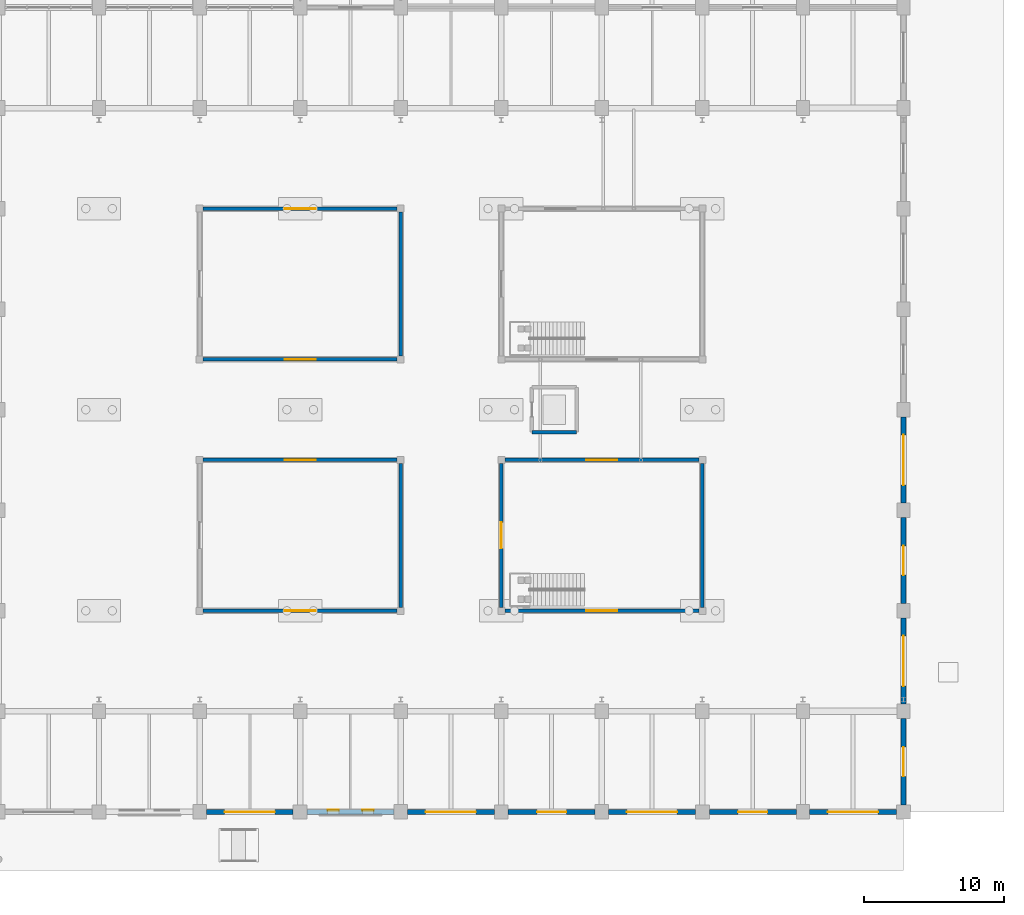
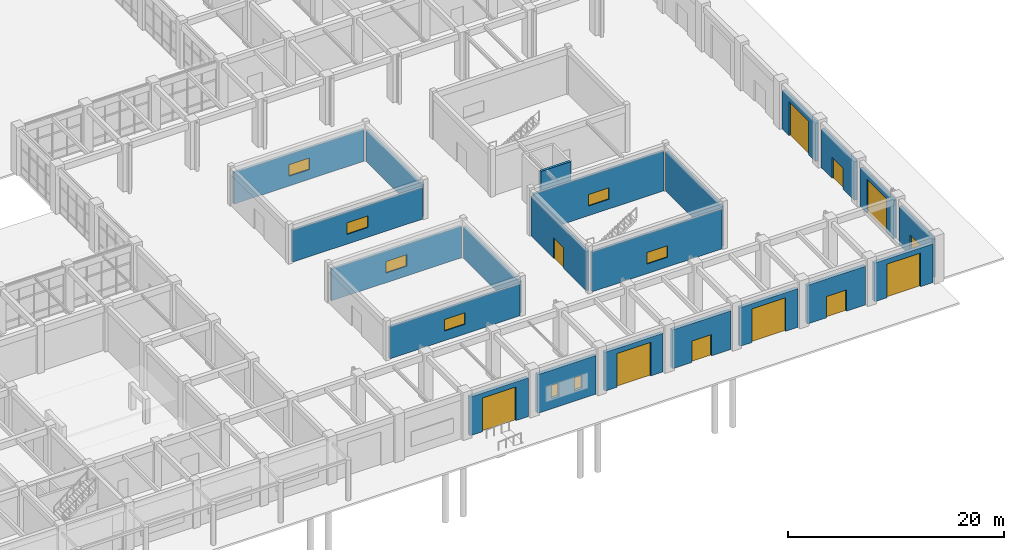
# One storey, part 145 of 160: 22 walls, 11 doors, 8 windows, 19 openings.
"""IFC4 building model written with IfcOpenShell, lengths in metres."""

from ifc_helpers import new_model, si_unit, direction, frame, frame_2d, origin, place, context, subcontext, project, spatial, rectangle, extrude, material, layer, layer_set, type_object, element, fill, save


model = new_model("IFC4")

# Units and contexts
model_context = context("Model", 3, precision=1e-05, world=origin(), true_north=direction((0.0, 1.0)))
body_context = subcontext(model_context, "Body", "Model", "MODEL_VIEW")
ifc_project = project(units=[si_unit("LENGTHUNIT", "METRE"), si_unit("AREAUNIT", "SQUARE_METRE"), si_unit("VOLUMEUNIT", "CUBIC_METRE"), si_unit("PLANEANGLEUNIT", "RADIAN"), si_unit("MASSUNIT", "GRAM", prefix="KILO")], contexts=[model_context])

# Site, building, storey
site_placement = place(None, origin())
site = spatial("IfcSite", under=ifc_project, at=site_placement, CompositionType="ELEMENT")
building_placement = place(site_placement, origin())
building = spatial("IfcBuilding", under=site, at=building_placement, Name="Thalmaran Polytechnic", CompositionType="ELEMENT")
storey_placement = place(building_placement, origin())
storey = spatial("IfcBuildingStorey", under=building, at=storey_placement, Name="L00", CompositionType="ELEMENT", Elevation=0.0)

# Wall, opening, door
ifc_material_1 = material(Name="Precast concrete C40/50", Category="concrete")
ifc_layer_1 = layer(ifc_material_1, 0.360107421875, Name="Precast concrete C40/50")
ifc_layer_set_1 = layer_set([ifc_layer_1], Name="Precast concrete C40/50")
wall_type_1 = type_object("IfcWallType", Name="WL-EW01", PredefinedType="STANDARD", material=ifc_layer_set_1)
wall_1_placement = place(storey_placement, frame((172.800048828125, 21.074951171875, 0.0), z_axis=(0.0, 0.0, 1.0), x_axis=(0.0, -1.0, 0.0)))
wall_1 = element("IfcWall", 1, at=wall_1_placement, inside=storey, type_object=wall_type_1, Name="Ground Entrance Portal Wall L00-066", PredefinedType="STANDARD", context=body_context, shape_type="SweptSolid", body=[
    extrude(rectangle(XDim=6.14990234375, YDim=0.360107421875, at=frame_2d((3.074951171875, 0.0))), origin(), (0.0, 0.0, 1.0), 4.3349609375),
])
opening_1_placement = place(wall_1_placement, frame((2.02490234375, 0.0, 0.0)))
opening_1 = element("IfcOpeningElement", 2, at=opening_1_placement, cuts=wall_1, Name="Opening ED-22", PredefinedType="OPENING", context=body_context, shape_type="SweptSolid", body=[
    extrude(rectangle(XDim=2.10009765625, YDim=2.39990234375, at=frame_2d((1.050048828125, 1.199951171875))), frame((0.0, 0.18994140625, 0.0), z_axis=(0.0, -1.0, 0.0), x_axis=(1.0, 0.0, 0.0)), (0.0, 0.0, 1.0), 0.380126953125),
])
ifc_material_2 = material(Name="Anodised aluminium and safety glass", Category="aluminium")
door_type_1 = type_object("IfcDoorType", Name="DR-ED01", OperationType="NOTDEFINED", PredefinedType="DOOR", material=ifc_material_2)
door_1_placement = place(opening_1_placement, origin())
door_1 = element("IfcDoor", 3, at=door_1_placement, inside=storey, type_object=door_type_1, Name="Pedestrian Final Exit Door ED-22", OperationType="DOUBLE_DOOR_SINGLE_SWING", OverallHeight=2.39990234375, OverallWidth=2.10009765625, PredefinedType="DOOR", context=body_context, shape_type="SweptSolid", body=[
    extrude(rectangle(XDim=2.10009765625, YDim=2.39990234375, at=frame_2d((1.050048828125, 1.199951171875))), frame((0.0, 0.02490234375, 0.0), z_axis=(0.0, -1.0, 0.0), x_axis=(1.0, 0.0, 0.0)), (0.0, 0.0, 1.0), 0.050048828125),
])
fill(opening_1, door_1)

wall_2_placement = place(storey_placement, frame((172.800048828125, 6.675048828125, 0.0), z_axis=(0.0, 0.0, 1.0), x_axis=(0.0, -1.0, 0.0)))
wall_2 = element("IfcWall", 4, at=wall_2_placement, inside=storey, type_object=wall_type_1, Name="Ground Entrance Portal Wall L00-068", PredefinedType="STANDARD", context=body_context, shape_type="SweptSolid", body=[
    extrude(rectangle(XDim=6.175048828125, YDim=0.360107421875, at=frame_2d((3.08740234375, 0.0))), origin(), (0.0, 0.0, 1.0), 4.3349609375),
])
opening_2_placement = place(wall_2_placement, frame((2.03759765625, 0.0, 0.0)))
opening_2 = element("IfcOpeningElement", 5, at=opening_2_placement, cuts=wall_2, Name="Opening ED-23", PredefinedType="OPENING", context=body_context, shape_type="SweptSolid", body=[
    extrude(rectangle(XDim=2.10009765625, YDim=2.39990234375, at=frame_2d((1.050048828125, 1.199951171875))), frame((0.0, 0.18994140625, 0.0), z_axis=(0.0, -1.0, 0.0), x_axis=(1.0, 0.0, 0.0)), (0.0, 0.0, 1.0), 0.380126953125),
])
door_2_placement = place(opening_2_placement, origin())
door_2 = element("IfcDoor", 6, at=door_2_placement, inside=storey, type_object=door_type_1, Name="Pedestrian Final Exit Door ED-23", OperationType="DOUBLE_DOOR_SINGLE_SWING", OverallHeight=2.39990234375, OverallWidth=2.10009765625, PredefinedType="DOOR", context=body_context, shape_type="SweptSolid", body=[
    extrude(rectangle(XDim=2.10009765625, YDim=2.39990234375, at=frame_2d((1.050048828125, 1.199951171875))), frame((0.0, 0.02490234375, 0.0), z_axis=(0.0, -1.0, 0.0), x_axis=(1.0, 0.0, 0.0)), (0.0, 0.0, 1.0), 0.050048828125),
])
fill(opening_2, door_2)

wall_3_placement = place(storey_placement, frame((172.300048828125, 0.0, 0.0), z_axis=(0.0, 0.0, 1.0), x_axis=(-1.0, 0.0, 0.0)))
wall_3 = element("IfcWall", 7, at=wall_3_placement, inside=storey, type_object=wall_type_1, Name="Exterior Precast Facade Wall L00-069", PredefinedType="STANDARD", context=body_context, shape_type="SweptSolid", body=[
    extrude(rectangle(XDim=6.22509765625, YDim=0.360107421875, at=frame_2d((3.112548828125, 0.0))), origin(), (0.0, 0.0, 1.0), 4.3701171875),
])
opening_3_placement = place(wall_3_placement, frame((1.3125, 0.0, 0.0)))
opening_3 = element("IfcOpeningElement", 8, at=opening_3_placement, cuts=wall_3, Name="Opening WB-069", PredefinedType="OPENING", context=body_context, shape_type="SweptSolid", body=[
    extrude(rectangle(XDim=3.60009765625, YDim=3.800048828125, at=frame_2d((1.800048828125, 1.89990234375))), frame((0.0, 0.18994140625, 0.0), z_axis=(0.0, -1.0, 0.0), x_axis=(1.0, 0.0, 0.0)), (0.0, 0.0, 1.0), 0.380126953125),
])
ifc_material_3 = material(Name="Galvanised insulated steel roller shutter", Category="steel")
door_type_2 = type_object("IfcDoorType", Name="DR-VG03", OperationType="NOTDEFINED", PredefinedType="GATE", material=ifc_material_3)
door_3_placement = place(opening_3_placement, origin())
door_3 = element("IfcDoor", 9, at=door_3_placement, inside=storey, type_object=door_type_2, Name="Engineering Workshop Crane Bay Door WB-069", OperationType="ROLLINGUP", OverallHeight=3.800048828125, OverallWidth=3.60009765625, PredefinedType="GATE", context=body_context, shape_type="SweptSolid", body=[
    extrude(rectangle(XDim=3.60009765625, YDim=3.800048828125, at=frame_2d((1.800048828125, 1.89990234375))), frame((0.0, 0.02490234375, 0.0), z_axis=(0.0, -1.0, 0.0), x_axis=(1.0, 0.0, 0.0)), (0.0, 0.0, 1.0), 0.050048828125),
])
fill(opening_3, door_3)

wall_4_placement = place(storey_placement, frame((165.125, 0.0, 0.0), z_axis=(0.0, 0.0, 1.0), x_axis=(-1.0, 0.0, 0.0)))
wall_4 = element("IfcWall", 10, at=wall_4_placement, inside=storey, type_object=wall_type_1, Name="Ground Entrance Portal Wall L00-070", PredefinedType="STANDARD", context=body_context, shape_type="SweptSolid", body=[
    extrude(rectangle(XDim=6.22509765625, YDim=0.360107421875, at=frame_2d((3.112548828125, 0.0))), origin(), (0.0, 0.0, 1.0), 4.3701171875),
])
opening_4_placement = place(wall_4_placement, frame((2.0625, 0.0, 0.0)))
opening_4 = element("IfcOpeningElement", 11, at=opening_4_placement, cuts=wall_4, Name="Opening ED-24", PredefinedType="OPENING", context=body_context, shape_type="SweptSolid", body=[
    extrude(rectangle(XDim=2.10009765625, YDim=2.39990234375, at=frame_2d((1.050048828125, 1.199951171875))), frame((0.0, 0.18994140625, 0.0), z_axis=(0.0, -1.0, 0.0), x_axis=(1.0, 0.0, 0.0)), (0.0, 0.0, 1.0), 0.380126953125),
])
door_4_placement = place(opening_4_placement, origin())
door_4 = element("IfcDoor", 12, at=door_4_placement, inside=storey, type_object=door_type_1, Name="Pedestrian Final Exit Door ED-24", OperationType="DOUBLE_DOOR_SINGLE_SWING", OverallHeight=2.39990234375, OverallWidth=2.10009765625, PredefinedType="DOOR", context=body_context, shape_type="SweptSolid", body=[
    extrude(rectangle(XDim=2.10009765625, YDim=2.39990234375, at=frame_2d((1.050048828125, 1.199951171875))), frame((0.0, 0.02490234375, 0.0), z_axis=(0.0, -1.0, 0.0), x_axis=(1.0, 0.0, 0.0)), (0.0, 0.0, 1.0), 0.050048828125),
])
fill(opening_4, door_4)

wall_5_placement = place(storey_placement, frame((157.89990234375, 0.0, 0.0), z_axis=(0.0, 0.0, 1.0), x_axis=(-1.0, 0.0, 0.0)))
wall_5 = element("IfcWall", 13, at=wall_5_placement, inside=storey, type_object=wall_type_1, Name="Exterior Precast Facade Wall L00-071", PredefinedType="STANDARD", context=body_context, shape_type="SweptSolid", body=[
    extrude(rectangle(XDim=6.224853515625, YDim=0.360107421875, at=frame_2d((3.1123046875, 0.0))), origin(), (0.0, 0.0, 1.0), 4.3701171875),
])
opening_5_placement = place(wall_5_placement, frame((1.3125, 0.0, 0.0)))
opening_5 = element("IfcOpeningElement", 14, at=opening_5_placement, cuts=wall_5, Name="Opening WB-071", PredefinedType="OPENING", context=body_context, shape_type="SweptSolid", body=[
    extrude(rectangle(XDim=3.60009765625, YDim=3.800048828125, at=frame_2d((1.800048828125, 1.89990234375))), frame((0.0, 0.18994140625, 0.0), z_axis=(0.0, -1.0, 0.0), x_axis=(1.0, 0.0, 0.0)), (0.0, 0.0, 1.0), 0.380126953125),
])
door_5_placement = place(opening_5_placement, origin())
door_5 = element("IfcDoor", 15, at=door_5_placement, inside=storey, type_object=door_type_2, Name="Engineering Workshop Crane Bay Door WB-071", OperationType="ROLLINGUP", OverallHeight=3.800048828125, OverallWidth=3.60009765625, PredefinedType="GATE", context=body_context, shape_type="SweptSolid", body=[
    extrude(rectangle(XDim=3.60009765625, YDim=3.800048828125, at=frame_2d((1.800048828125, 1.89990234375))), frame((0.0, 0.02490234375, 0.0), z_axis=(0.0, -1.0, 0.0), x_axis=(1.0, 0.0, 0.0)), (0.0, 0.0, 1.0), 0.050048828125),
])
fill(opening_5, door_5)

wall_6_placement = place(storey_placement, frame((150.72509765625, 0.0, 0.0), z_axis=(0.0, 0.0, 1.0), x_axis=(-1.0, 0.0, 0.0)))
wall_6 = element("IfcWall", 16, at=wall_6_placement, inside=storey, type_object=wall_type_1, Name="Ground Entrance Portal Wall L00-072", PredefinedType="STANDARD", context=body_context, shape_type="SweptSolid", body=[
    extrude(rectangle(XDim=6.22509765625, YDim=0.360107421875, at=frame_2d((3.112548828125, 0.0))), origin(), (0.0, 0.0, 1.0), 4.3701171875),
])
opening_6_placement = place(wall_6_placement, frame((2.0625, 0.0, 0.0)))
opening_6 = element("IfcOpeningElement", 17, at=opening_6_placement, cuts=wall_6, Name="Opening ED-25", PredefinedType="OPENING", context=body_context, shape_type="SweptSolid", body=[
    extrude(rectangle(XDim=2.10009765625, YDim=2.39990234375, at=frame_2d((1.050048828125, 1.199951171875))), frame((0.0, 0.18994140625, 0.0), z_axis=(0.0, -1.0, 0.0), x_axis=(1.0, 0.0, 0.0)), (0.0, 0.0, 1.0), 0.380126953125),
])
door_6_placement = place(opening_6_placement, origin())
door_6 = element("IfcDoor", 18, at=door_6_placement, inside=storey, type_object=door_type_1, Name="Pedestrian Final Exit Door ED-25", OperationType="DOUBLE_DOOR_SINGLE_SWING", OverallHeight=2.39990234375, OverallWidth=2.10009765625, PredefinedType="DOOR", context=body_context, shape_type="SweptSolid", body=[
    extrude(rectangle(XDim=2.10009765625, YDim=2.39990234375, at=frame_2d((1.050048828125, 1.199951171875))), frame((0.0, 0.02490234375, 0.0), z_axis=(0.0, -1.0, 0.0), x_axis=(1.0, 0.0, 0.0)), (0.0, 0.0, 1.0), 0.050048828125),
])
fill(opening_6, door_6)

wall_7_placement = place(storey_placement, frame((143.5, 0.0, 0.0), z_axis=(0.0, 0.0, 1.0), x_axis=(-1.0, 0.0, 0.0)))
wall_7 = element("IfcWall", 19, at=wall_7_placement, inside=storey, type_object=wall_type_1, Name="Exterior Precast Facade Wall L00-073", PredefinedType="STANDARD", context=body_context, shape_type="SweptSolid", body=[
    extrude(rectangle(XDim=6.22509765625, YDim=0.360107421875, at=frame_2d((3.112548828125, 0.0))), origin(), (0.0, 0.0, 1.0), 4.3701171875),
])
opening_7_placement = place(wall_7_placement, frame((1.3125, 0.0, 0.0)))
opening_7 = element("IfcOpeningElement", 20, at=opening_7_placement, cuts=wall_7, Name="Opening WB-073", PredefinedType="OPENING", context=body_context, shape_type="SweptSolid", body=[
    extrude(rectangle(XDim=3.60009765625, YDim=3.800048828125, at=frame_2d((1.800048828125, 1.89990234375))), frame((0.0, 0.18994140625, 0.0), z_axis=(0.0, -1.0, 0.0), x_axis=(1.0, 0.0, 0.0)), (0.0, 0.0, 1.0), 0.380126953125),
])
door_7_placement = place(opening_7_placement, origin())
door_7 = element("IfcDoor", 21, at=door_7_placement, inside=storey, type_object=door_type_2, Name="Engineering Workshop Crane Bay Door WB-073", OperationType="ROLLINGUP", OverallHeight=3.800048828125, OverallWidth=3.60009765625, PredefinedType="GATE", context=body_context, shape_type="SweptSolid", body=[
    extrude(rectangle(XDim=3.60009765625, YDim=3.800048828125, at=frame_2d((1.800048828125, 1.89990234375))), frame((0.0, 0.02490234375, 0.0), z_axis=(0.0, -1.0, 0.0), x_axis=(1.0, 0.0, 0.0)), (0.0, 0.0, 1.0), 0.050048828125),
])
fill(opening_7, door_7)

# Wall, openings, windows
wall_8_placement = place(storey_placement, frame((136.324951171875, 0.0, 0.0), z_axis=(0.0, 0.0, 1.0), x_axis=(-1.0, 0.0, 0.0)))
wall_8 = element("IfcWall", 22, at=wall_8_placement, inside=storey, type_object=wall_type_1, Name="Exterior Precast Facade Wall L00-074", PredefinedType="STANDARD", context=body_context, shape_type="SweptSolid", body=[
    extrude(rectangle(XDim=6.224853515625, YDim=0.360107421875, at=frame_2d((3.1123046875, 0.0))), origin(), (0.0, 0.0, 1.0), 4.3701171875),
])
opening_8_placement = place(wall_8_placement, frame((1.467529296875, 0.0, 1.14990234375)))
opening_8 = element("IfcOpeningElement", 23, at=opening_8_placement, cuts=wall_8, Name="Opening PW16", PredefinedType="OPENING", context=body_context, shape_type="SweptSolid", body=[
    extrude(rectangle(XDim=0.800048828125, YDim=1.5, at=frame_2d((0.39990234375, 0.75))), frame((0.0, 0.18994140625, 0.0), z_axis=(0.0, -1.0, 0.0), x_axis=(1.0, 0.0, 0.0)), (0.0, 0.0, 1.0), 0.380126953125),
])
opening_9_placement = place(wall_8_placement, frame((3.95751953125, 0.0, 1.14990234375)))
opening_9 = element("IfcOpeningElement", 24, at=opening_9_placement, cuts=wall_8, Name="Opening PW16", PredefinedType="OPENING", context=body_context, shape_type="SweptSolid", body=[
    extrude(rectangle(XDim=0.800048828125, YDim=1.5, at=frame_2d((0.39990234375, 0.75))), frame((0.0, 0.18994140625, 0.0), z_axis=(0.0, -1.0, 0.0), x_axis=(1.0, 0.0, 0.0)), (0.0, 0.0, 1.0), 0.380126953125),
])
ifc_material_4 = material(Name="Thermally broken aluminium and double low-E glass", Category="aluminium")
window_type_1 = type_object("IfcWindowType", Name="WN-PW06", PartitioningType="SINGLE_PANEL", PredefinedType="WINDOW", material=ifc_material_4)
window_1_placement = place(opening_8_placement, origin())
window_1 = element("IfcWindow", 25, at=window_1_placement, inside=storey, type_object=window_type_1, Name="Deep-Set Solar-Screened Window W-0032", OverallHeight=1.5, OverallWidth=0.800048828125, PartitioningType="SINGLE_PANEL", PredefinedType="WINDOW", context=body_context, shape_type="SweptSolid", body=[
    extrude(rectangle(XDim=0.800048828125, YDim=1.5, at=frame_2d((0.39990234375, 0.75))), frame((0.0, -0.080078125, 0.0), z_axis=(0.0, -1.0, 0.0), x_axis=(1.0, 0.0, 0.0)), (0.0, 0.0, 1.0), 0.06005859375),
])
fill(opening_8, window_1)
window_2_placement = place(opening_9_placement, origin())
window_2 = element("IfcWindow", 26, at=window_2_placement, inside=storey, type_object=window_type_1, Name="Deep-Set Solar-Screened Window W-0033", OverallHeight=1.5, OverallWidth=0.800048828125, PartitioningType="SINGLE_PANEL", PredefinedType="WINDOW", context=body_context, shape_type="SweptSolid", body=[
    extrude(rectangle(XDim=0.800048828125, YDim=1.5, at=frame_2d((0.39990234375, 0.75))), frame((0.0, -0.080078125, 0.0), z_axis=(0.0, -1.0, 0.0), x_axis=(1.0, 0.0, 0.0)), (0.0, 0.0, 1.0), 0.06005859375),
])
fill(opening_9, window_2)

# Wall, opening, door
wall_9_placement = place(storey_placement, frame((129.10009765625, 0.0, 0.0), z_axis=(0.0, 0.0, 1.0), x_axis=(-1.0, 0.0, 0.0)))
wall_9 = element("IfcWall", 27, at=wall_9_placement, inside=storey, type_object=wall_type_1, Name="Exterior Precast Facade Wall L00-075", PredefinedType="STANDARD", context=body_context, shape_type="SweptSolid", body=[
    extrude(rectangle(XDim=6.22509765625, YDim=0.360107421875, at=frame_2d((3.112548828125, 0.0))), origin(), (0.0, 0.0, 1.0), 4.3701171875),
])
opening_10_placement = place(wall_9_placement, frame((1.3125, 0.0, 0.0)))
opening_10 = element("IfcOpeningElement", 28, at=opening_10_placement, cuts=wall_9, Name="Opening WB-075", PredefinedType="OPENING", context=body_context, shape_type="SweptSolid", body=[
    extrude(rectangle(XDim=3.60009765625, YDim=3.800048828125, at=frame_2d((1.800048828125, 1.89990234375))), frame((0.0, 0.18994140625, 0.0), z_axis=(0.0, -1.0, 0.0), x_axis=(1.0, 0.0, 0.0)), (0.0, 0.0, 1.0), 0.380126953125),
])
door_8_placement = place(opening_10_placement, origin())
door_8 = element("IfcDoor", 29, at=door_8_placement, inside=storey, type_object=door_type_2, Name="Engineering Workshop Crane Bay Door WB-075", OperationType="ROLLINGUP", OverallHeight=3.800048828125, OverallWidth=3.60009765625, PredefinedType="GATE", context=body_context, shape_type="SweptSolid", body=[
    extrude(rectangle(XDim=3.60009765625, YDim=3.800048828125, at=frame_2d((1.800048828125, 1.89990234375))), frame((0.0, 0.02490234375, 0.0), z_axis=(0.0, -1.0, 0.0), x_axis=(1.0, 0.0, 0.0)), (0.0, 0.0, 1.0), 0.050048828125),
])
fill(opening_10, door_8)

ifc_layer_2 = layer(ifc_material_1, 0.330078125, Name="Precast concrete C40/50")
ifc_layer_set_2 = layer_set([ifc_layer_2], Name="Precast concrete C40/50")
wall_type_2 = type_object("IfcWallType", Name="WL-EW02", PredefinedType="STANDARD", material=ifc_layer_set_2)
wall_10_placement = place(storey_placement, frame((172.800048828125, 28.27490234375, 0.0), z_axis=(0.0, 0.0, 1.0), x_axis=(0.0, -1.0, 0.0)))
wall_10 = element("IfcWall", 30, at=wall_10_placement, inside=storey, type_object=wall_type_2, Name="Exterior Precast Facade Wall L00-065", PredefinedType="STANDARD", context=body_context, shape_type="SweptSolid", body=[
    extrude(rectangle(XDim=6.14990234375, YDim=0.330078125, at=frame_2d((3.074951171875, 0.0))), origin(), (0.0, 0.0, 1.0), 4.3349609375),
])
opening_11_placement = place(wall_10_placement, frame((1.27490234375, 0.0, 0.0)))
opening_11 = element("IfcOpeningElement", 31, at=opening_11_placement, cuts=wall_10, Name="Opening WB-065", PredefinedType="OPENING", context=body_context, shape_type="SweptSolid", body=[
    extrude(rectangle(XDim=3.60009765625, YDim=3.800048828125, at=frame_2d((1.800048828125, 1.89990234375))), frame((0.0, 0.175048828125, 0.0), z_axis=(0.0, -1.0, 0.0), x_axis=(1.0, 0.0, 0.0)), (0.0, 0.0, 1.0), 0.35009765625),
])
door_9_placement = place(opening_11_placement, origin())
door_9 = element("IfcDoor", 32, at=door_9_placement, inside=storey, type_object=door_type_2, Name="Engineering Workshop Crane Bay Door WB-065", OperationType="ROLLINGUP", OverallHeight=3.800048828125, OverallWidth=3.60009765625, PredefinedType="GATE", context=body_context, shape_type="SweptSolid", body=[
    extrude(rectangle(XDim=3.60009765625, YDim=3.800048828125, at=frame_2d((1.800048828125, 1.89990234375))), frame((0.0, 0.02490234375, 0.0), z_axis=(0.0, -1.0, 0.0), x_axis=(1.0, 0.0, 0.0)), (0.0, 0.0, 1.0), 0.050048828125),
])
fill(opening_11, door_9)

wall_11_placement = place(storey_placement, frame((172.800048828125, 13.875, 0.0), z_axis=(0.0, 0.0, 1.0), x_axis=(0.0, -1.0, 0.0)))
wall_11 = element("IfcWall", 33, at=wall_11_placement, inside=storey, type_object=wall_type_2, Name="Exterior Precast Facade Wall L00-067", PredefinedType="STANDARD", context=body_context, shape_type="SweptSolid", body=[
    extrude(rectangle(XDim=6.14990234375, YDim=0.330078125, at=frame_2d((3.074951171875, 0.0))), origin(), (0.0, 0.0, 1.0), 4.3349609375),
])
opening_12_placement = place(wall_11_placement, frame((1.27490234375, 0.0, 0.0)))
opening_12 = element("IfcOpeningElement", 34, at=opening_12_placement, cuts=wall_11, Name="Opening WB-067", PredefinedType="OPENING", context=body_context, shape_type="SweptSolid", body=[
    extrude(rectangle(XDim=3.60009765625, YDim=3.800048828125, at=frame_2d((1.800048828125, 1.89990234375))), frame((0.0, 0.175048828125, 0.0), z_axis=(0.0, -1.0, 0.0), x_axis=(1.0, 0.0, 0.0)), (0.0, 0.0, 1.0), 0.35009765625),
])
door_10_placement = place(opening_12_placement, origin())
door_10 = element("IfcDoor", 35, at=door_10_placement, inside=storey, type_object=door_type_2, Name="Engineering Workshop Crane Bay Door WB-067", OperationType="ROLLINGUP", OverallHeight=3.800048828125, OverallWidth=3.60009765625, PredefinedType="GATE", context=body_context, shape_type="SweptSolid", body=[
    extrude(rectangle(XDim=3.60009765625, YDim=3.800048828125, at=frame_2d((1.800048828125, 1.89990234375))), frame((0.0, 0.02490234375, 0.0), z_axis=(0.0, -1.0, 0.0), x_axis=(1.0, 0.0, 0.0)), (0.0, 0.0, 1.0), 0.050048828125),
])
fill(opening_12, door_10)

# Wall, opening, window
ifc_material_5 = material(Name="Autoclaved aerated masonry", Category="masonry")
ifc_layer_3 = layer(ifc_material_5, 0.25, Name="Autoclaved aerated masonry")
ifc_layer_set_3 = layer_set([ifc_layer_3], Name="Autoclaved aerated masonry")
wall_type_3 = type_object("IfcWallType", Name="WL-IW01", PredefinedType="PARTITIONING", material=ifc_layer_set_3)
wall_12_placement = place(storey_placement, frame((122.64990234375, 14.39990234375, 0.0), z_axis=(0.0, 0.0, 1.0), x_axis=(1.0, 0.0, 0.0)))
wall_12 = element("IfcWall", 36, at=wall_12_placement, inside=storey, type_object=wall_type_3, Name="POD1 Acoustic Enclosure Wall L00-S", PredefinedType="PARTITIONING", context=body_context, shape_type="SweptSolid", body=[
    extrude(rectangle(XDim=13.900146484375, YDim=0.25, at=frame_2d((6.9501953125, 0.0))), origin(), (0.0, 0.0, 1.0), 3.570068359375),
])
opening_13_placement = place(wall_12_placement, frame((5.85009765625, 0.0, 1.10009765625)))
opening_13 = element("IfcOpeningElement", 37, at=opening_13_placement, cuts=wall_12, Name="Opening IW11", PredefinedType="OPENING", context=body_context, shape_type="SweptSolid", body=[
    extrude(rectangle(XDim=2.199951171875, YDim=1.300048828125, at=frame_2d((1.10009765625, 0.64990234375))), frame((0.0, 0.135009765625, 0.0), z_axis=(0.0, -1.0, 0.0), x_axis=(1.0, 0.0, 0.0)), (0.0, 0.0, 1.0), 0.27001953125),
])
window_type_2 = type_object("IfcWindowType", Name="WN-IW01", PartitioningType="DOUBLE_PANEL_VERTICAL", PredefinedType="WINDOW", material=ifc_material_4)
window_3_placement = place(opening_13_placement, origin())
window_3 = element("IfcWindow", 38, at=window_3_placement, inside=storey, type_object=window_type_2, Name="POD1 Observation Window S", OverallHeight=1.300048828125, OverallWidth=2.199951171875, PartitioningType="SINGLE_PANEL", PredefinedType="WINDOW", context=body_context, shape_type="SweptSolid", body=[
    extrude(rectangle(XDim=2.199951171875, YDim=1.300048828125, at=frame_2d((1.10009765625, 0.64990234375))), frame((0.0, 0.030029296875, 0.0), z_axis=(0.0, -1.0, 0.0), x_axis=(1.0, 0.0, 0.0)), (0.0, 0.0, 1.0), 0.06005859375),
])
fill(opening_13, window_3)

# Wall
wall_13_placement = place(storey_placement, frame((136.800048828125, 14.64990234375, 0.0), z_axis=(0.0, 0.0, 1.0), x_axis=(0.0, 1.0, 0.0)))
element("IfcWall", 39, at=wall_13_placement, inside=storey, type_object=wall_type_3, Name="POD1 Acoustic Enclosure Wall L00-E", PredefinedType="PARTITIONING", context=body_context, shape_type="SweptSolid", body=[
    extrude(rectangle(XDim=10.300048828125, YDim=0.25, at=frame_2d((5.14990234375, 0.0))), origin(), (0.0, 0.0, 1.0), 3.570068359375),
])

# Wall, opening, window
wall_14_placement = place(storey_placement, frame((136.550048828125, 25.199951171875, 0.0), z_axis=(0.0, 0.0, 1.0), x_axis=(-1.0, 0.0, 0.0)))
wall_14 = element("IfcWall", 40, at=wall_14_placement, inside=storey, type_object=wall_type_3, Name="POD1 Acoustic Enclosure Wall L00-N", PredefinedType="PARTITIONING", context=body_context, shape_type="SweptSolid", body=[
    extrude(rectangle(XDim=13.900146484375, YDim=0.25, at=frame_2d((6.9501953125, 0.0))), origin(), (0.0, 0.0, 1.0), 3.570068359375),
])
opening_14_placement = place(wall_14_placement, frame((5.85009765625, 0.0, 1.10009765625)))
opening_14 = element("IfcOpeningElement", 41, at=opening_14_placement, cuts=wall_14, Name="Opening IW11", PredefinedType="OPENING", context=body_context, shape_type="SweptSolid", body=[
    extrude(rectangle(XDim=2.199951171875, YDim=1.300048828125, at=frame_2d((1.10009765625, 0.64990234375))), frame((0.0, 0.135009765625, 0.0), z_axis=(0.0, -1.0, 0.0), x_axis=(1.0, 0.0, 0.0)), (0.0, 0.0, 1.0), 0.27001953125),
])
window_4_placement = place(opening_14_placement, origin())
window_4 = element("IfcWindow", 42, at=window_4_placement, inside=storey, type_object=window_type_2, Name="POD1 Observation Window N", OverallHeight=1.300048828125, OverallWidth=2.199951171875, PartitioningType="SINGLE_PANEL", PredefinedType="WINDOW", context=body_context, shape_type="SweptSolid", body=[
    extrude(rectangle(XDim=2.199951171875, YDim=1.300048828125, at=frame_2d((1.10009765625, 0.64990234375))), frame((0.0, 0.030029296875, 0.0), z_axis=(0.0, -1.0, 0.0), x_axis=(1.0, 0.0, 0.0)), (0.0, 0.0, 1.0), 0.06005859375),
])
fill(opening_14, window_4)

wall_15_placement = place(storey_placement, frame((144.25, 14.39990234375, 0.0), z_axis=(0.0, 0.0, 1.0), x_axis=(1.0, 0.0, 0.0)))
wall_15 = element("IfcWall", 43, at=wall_15_placement, inside=storey, type_object=wall_type_3, Name="POD2 Acoustic Enclosure Wall L00-S", PredefinedType="PARTITIONING", context=body_context, shape_type="SweptSolid", body=[
    extrude(rectangle(XDim=13.89990234375, YDim=0.25, at=frame_2d((6.949951171875, 0.0))), origin(), (0.0, 0.0, 1.0), 4.469970703125),
])
opening_15_placement = place(wall_15_placement, frame((5.85009765625, 0.0, 1.10009765625)))
opening_15 = element("IfcOpeningElement", 44, at=opening_15_placement, cuts=wall_15, Name="Opening IW11", PredefinedType="OPENING", context=body_context, shape_type="SweptSolid", body=[
    extrude(rectangle(XDim=2.199951171875, YDim=1.300048828125, at=frame_2d((1.10009765625, 0.64990234375))), frame((0.0, 0.135009765625, 0.0), z_axis=(0.0, -1.0, 0.0), x_axis=(1.0, 0.0, 0.0)), (0.0, 0.0, 1.0), 0.27001953125),
])
window_5_placement = place(opening_15_placement, origin())
window_5 = element("IfcWindow", 45, at=window_5_placement, inside=storey, type_object=window_type_2, Name="POD2 Observation Window S", OverallHeight=1.300048828125, OverallWidth=2.199951171875, PartitioningType="SINGLE_PANEL", PredefinedType="WINDOW", context=body_context, shape_type="SweptSolid", body=[
    extrude(rectangle(XDim=2.199951171875, YDim=1.300048828125, at=frame_2d((1.10009765625, 0.64990234375))), frame((0.0, 0.030029296875, 0.0), z_axis=(0.0, -1.0, 0.0), x_axis=(1.0, 0.0, 0.0)), (0.0, 0.0, 1.0), 0.06005859375),
])
fill(opening_15, window_5)

# Wall
wall_16_placement = place(storey_placement, frame((158.39990234375, 14.64990234375, 0.0), z_axis=(0.0, 0.0, 1.0), x_axis=(0.0, 1.0, 0.0)))
element("IfcWall", 46, at=wall_16_placement, inside=storey, type_object=wall_type_3, Name="POD2 Acoustic Enclosure Wall L00-E", PredefinedType="PARTITIONING", context=body_context, shape_type="SweptSolid", body=[
    extrude(rectangle(XDim=10.300048828125, YDim=0.25, at=frame_2d((5.14990234375, 0.0))), origin(), (0.0, 0.0, 1.0), 4.469970703125),
])

# Wall, opening, window
wall_17_placement = place(storey_placement, frame((158.14990234375, 25.199951171875, 0.0), z_axis=(0.0, 0.0, 1.0), x_axis=(-1.0, 0.0, 0.0)))
wall_17 = element("IfcWall", 47, at=wall_17_placement, inside=storey, type_object=wall_type_3, Name="POD2 Acoustic Enclosure Wall L00-N", PredefinedType="PARTITIONING", context=body_context, shape_type="SweptSolid", body=[
    extrude(rectangle(XDim=13.89990234375, YDim=0.25, at=frame_2d((6.949951171875, 0.0))), origin(), (0.0, 0.0, 1.0), 4.469970703125),
])
opening_16_placement = place(wall_17_placement, frame((5.85009765625, 0.0, 1.10009765625)))
opening_16 = element("IfcOpeningElement", 48, at=opening_16_placement, cuts=wall_17, Name="Opening IW11", PredefinedType="OPENING", context=body_context, shape_type="SweptSolid", body=[
    extrude(rectangle(XDim=2.199951171875, YDim=1.300048828125, at=frame_2d((1.10009765625, 0.64990234375))), frame((0.0, 0.135009765625, 0.0), z_axis=(0.0, -1.0, 0.0), x_axis=(1.0, 0.0, 0.0)), (0.0, 0.0, 1.0), 0.27001953125),
])
window_6_placement = place(opening_16_placement, origin())
window_6 = element("IfcWindow", 49, at=window_6_placement, inside=storey, type_object=window_type_2, Name="POD2 Observation Window N", OverallHeight=1.300048828125, OverallWidth=2.199951171875, PartitioningType="SINGLE_PANEL", PredefinedType="WINDOW", context=body_context, shape_type="SweptSolid", body=[
    extrude(rectangle(XDim=2.199951171875, YDim=1.300048828125, at=frame_2d((1.10009765625, 0.64990234375))), frame((0.0, 0.030029296875, 0.0), z_axis=(0.0, -1.0, 0.0), x_axis=(1.0, 0.0, 0.0)), (0.0, 0.0, 1.0), 0.06005859375),
])
fill(opening_16, window_6)

# Wall, opening, door
wall_18_placement = place(storey_placement, frame((144.0, 24.949951171875, 0.0), z_axis=(0.0, 0.0, 1.0), x_axis=(0.0, -1.0, 0.0)))
wall_18 = element("IfcWall", 50, at=wall_18_placement, inside=storey, type_object=wall_type_3, Name="POD2 Acoustic Enclosure Wall L00-W", PredefinedType="PARTITIONING", context=body_context, shape_type="SweptSolid", body=[
    extrude(rectangle(XDim=10.300048828125, YDim=0.25, at=frame_2d((5.14990234375, 0.0))), origin(), (0.0, 0.0, 1.0), 4.469970703125),
])
opening_17_placement = place(wall_18_placement, frame((4.22509765625, 0.0, 0.0)))
opening_17 = element("IfcOpeningElement", 51, at=opening_17_placement, cuts=wall_18, Name="Opening PD-POD2-L00", PredefinedType="OPENING", context=body_context, shape_type="SweptSolid", body=[
    extrude(rectangle(XDim=1.85009765625, YDim=2.300048828125, at=frame_2d((0.925048828125, 1.14990234375))), frame((0.0, 0.135009765625, 0.0), z_axis=(0.0, -1.0, 0.0), x_axis=(1.0, 0.0, 0.0)), (0.0, 0.0, 1.0), 0.27001953125),
])
ifc_material_6 = material(Name="Acoustic hardwood and vision glass", Category="wood")
door_type_3 = type_object("IfcDoorType", Name="DR-ID01", OperationType="NOTDEFINED", PredefinedType="DOOR", material=ifc_material_6)
door_11_placement = place(opening_17_placement, frame((1.85009765625, 0.0, 0.0), z_axis=(0.0, 0.0, 1.0), x_axis=(-1.0, 0.0, 0.0)))
door_11 = element("IfcDoor", 52, at=door_11_placement, inside=storey, type_object=door_type_3, Name="Acoustic Propulsion Laboratory Entrance Door", OperationType="DOUBLE_DOOR_SINGLE_SWING", OverallHeight=2.300048828125, OverallWidth=1.85009765625, PredefinedType="DOOR", context=body_context, shape_type="SweptSolid", body=[
    extrude(rectangle(XDim=1.85009765625, YDim=2.300048828125, at=frame_2d((0.925048828125, 1.14990234375))), frame((0.0, 0.02490234375, 0.0), z_axis=(0.0, -1.0, 0.0), x_axis=(1.0, 0.0, 0.0)), (0.0, 0.0, 1.0), 0.050048828125),
])
fill(opening_17, door_11)

# Wall, opening, window
wall_19_placement = place(storey_placement, frame((122.64990234375, 32.39990234375, 0.0), z_axis=(0.0, 0.0, 1.0), x_axis=(1.0, 0.0, 0.0)))
wall_19 = element("IfcWall", 53, at=wall_19_placement, inside=storey, type_object=wall_type_3, Name="POD3 Acoustic Enclosure Wall L00-S", PredefinedType="PARTITIONING", context=body_context, shape_type="SweptSolid", body=[
    extrude(rectangle(XDim=13.900146484375, YDim=0.25, at=frame_2d((6.9501953125, 0.0))), origin(), (0.0, 0.0, 1.0), 3.570068359375),
])
opening_18_placement = place(wall_19_placement, frame((5.85009765625, 0.0, 1.10009765625)))
opening_18 = element("IfcOpeningElement", 54, at=opening_18_placement, cuts=wall_19, Name="Opening IW11", PredefinedType="OPENING", context=body_context, shape_type="SweptSolid", body=[
    extrude(rectangle(XDim=2.199951171875, YDim=1.300048828125, at=frame_2d((1.10009765625, 0.64990234375))), frame((0.0, 0.135009765625, 0.0), z_axis=(0.0, -1.0, 0.0), x_axis=(1.0, 0.0, 0.0)), (0.0, 0.0, 1.0), 0.27001953125),
])
window_7_placement = place(opening_18_placement, origin())
window_7 = element("IfcWindow", 55, at=window_7_placement, inside=storey, type_object=window_type_2, Name="POD3 Observation Window S", OverallHeight=1.300048828125, OverallWidth=2.199951171875, PartitioningType="SINGLE_PANEL", PredefinedType="WINDOW", context=body_context, shape_type="SweptSolid", body=[
    extrude(rectangle(XDim=2.199951171875, YDim=1.300048828125, at=frame_2d((1.10009765625, 0.64990234375))), frame((0.0, 0.030029296875, 0.0), z_axis=(0.0, -1.0, 0.0), x_axis=(1.0, 0.0, 0.0)), (0.0, 0.0, 1.0), 0.06005859375),
])
fill(opening_18, window_7)

# Wall
wall_20_placement = place(storey_placement, frame((136.800048828125, 32.64990234375, 0.0), z_axis=(0.0, 0.0, 1.0), x_axis=(0.0, 1.0, 0.0)))
element("IfcWall", 56, at=wall_20_placement, inside=storey, type_object=wall_type_3, Name="POD3 Acoustic Enclosure Wall L00-E", PredefinedType="PARTITIONING", context=body_context, shape_type="SweptSolid", body=[
    extrude(rectangle(XDim=10.300048828125, YDim=0.25, at=frame_2d((5.14990234375, 0.0))), origin(), (0.0, 0.0, 1.0), 3.570068359375),
])

# Wall, opening, window
wall_21_placement = place(storey_placement, frame((136.550048828125, 43.199951171875, 0.0), z_axis=(0.0, 0.0, 1.0), x_axis=(-1.0, 0.0, 0.0)))
wall_21 = element("IfcWall", 57, at=wall_21_placement, inside=storey, type_object=wall_type_3, Name="POD3 Acoustic Enclosure Wall L00-N", PredefinedType="PARTITIONING", context=body_context, shape_type="SweptSolid", body=[
    extrude(rectangle(XDim=13.900146484375, YDim=0.25, at=frame_2d((6.9501953125, 0.0))), origin(), (0.0, 0.0, 1.0), 3.570068359375),
])
opening_19_placement = place(wall_21_placement, frame((5.85009765625, 0.0, 1.10009765625)))
opening_19 = element("IfcOpeningElement", 58, at=opening_19_placement, cuts=wall_21, Name="Opening IW11", PredefinedType="OPENING", context=body_context, shape_type="SweptSolid", body=[
    extrude(rectangle(XDim=2.199951171875, YDim=1.300048828125, at=frame_2d((1.10009765625, 0.64990234375))), frame((0.0, 0.135009765625, 0.0), z_axis=(0.0, -1.0, 0.0), x_axis=(1.0, 0.0, 0.0)), (0.0, 0.0, 1.0), 0.27001953125),
])
window_8_placement = place(opening_19_placement, origin())
window_8 = element("IfcWindow", 59, at=window_8_placement, inside=storey, type_object=window_type_2, Name="POD3 Observation Window N", OverallHeight=1.300048828125, OverallWidth=2.199951171875, PartitioningType="SINGLE_PANEL", PredefinedType="WINDOW", context=body_context, shape_type="SweptSolid", body=[
    extrude(rectangle(XDim=2.199951171875, YDim=1.300048828125, at=frame_2d((1.10009765625, 0.64990234375))), frame((0.0, 0.030029296875, 0.0), z_axis=(0.0, -1.0, 0.0), x_axis=(1.0, 0.0, 0.0)), (0.0, 0.0, 1.0), 0.06005859375),
])
fill(opening_19, window_8)

# Wall
ifc_material_7 = material(Name="Concrete C50/60", Category="concrete")
ifc_layer_4 = layer(ifc_material_7, 0.300048828125, Name="Concrete C50/60")
ifc_layer_set_4 = layer_set([ifc_layer_4], Name="Concrete C50/60")
wall_type_4 = type_object("IfcWallType", Name="WL-SW04", PredefinedType="SHEAR", material=ifc_layer_set_4)
wall_22_placement = place(storey_placement, frame((146.199951171875, 27.199951171875, 0.0), z_axis=(0.0, 0.0, 1.0), x_axis=(1.0, 0.0, 0.0)))
element("IfcWall", 60, at=wall_22_placement, inside=storey, type_object=wall_type_4, Name="Pod Lift Shaft Wall L00-S", PredefinedType="SHEAR", context=body_context, shape_type="SweptSolid", body=[
    extrude(rectangle(XDim=3.199951171875, YDim=0.25, at=frame_2d((1.60009765625, 0.0))), origin(), (0.0, 0.0, 1.0), 5.155029296875),
])

save(model, "model.ifc")
